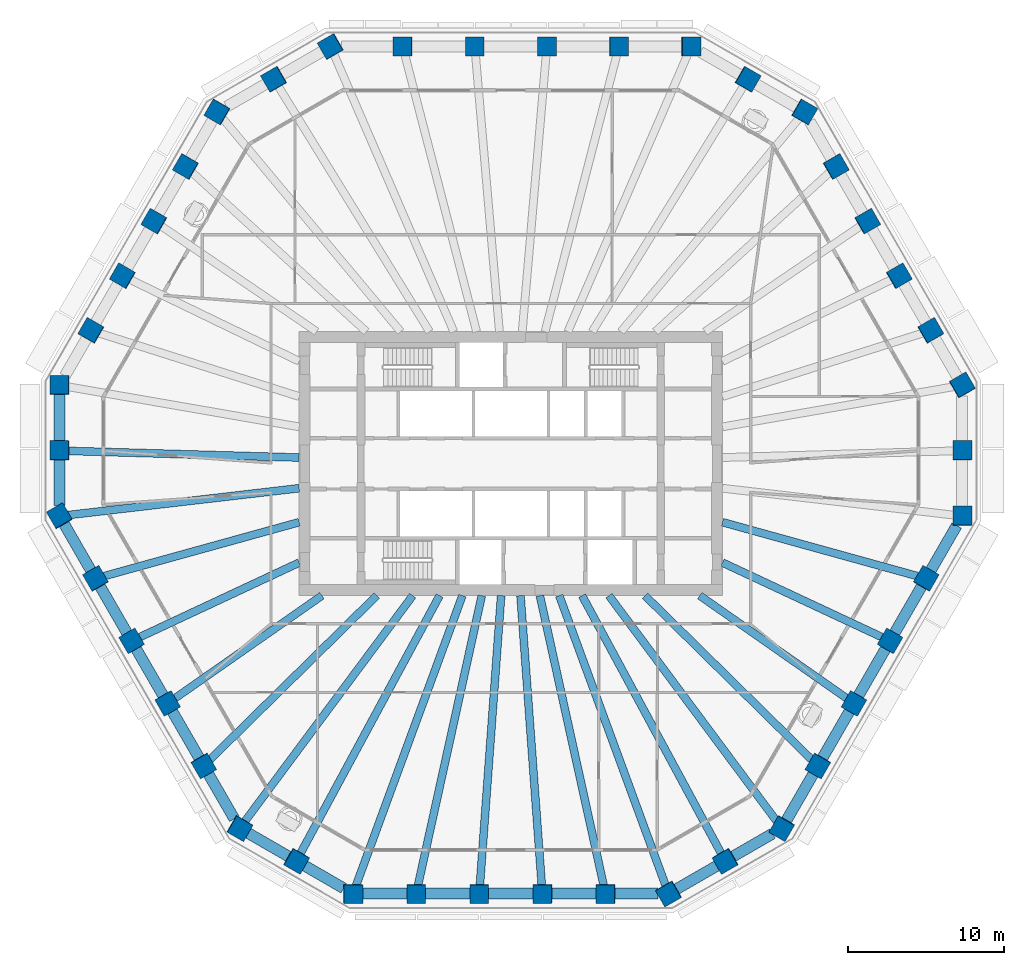
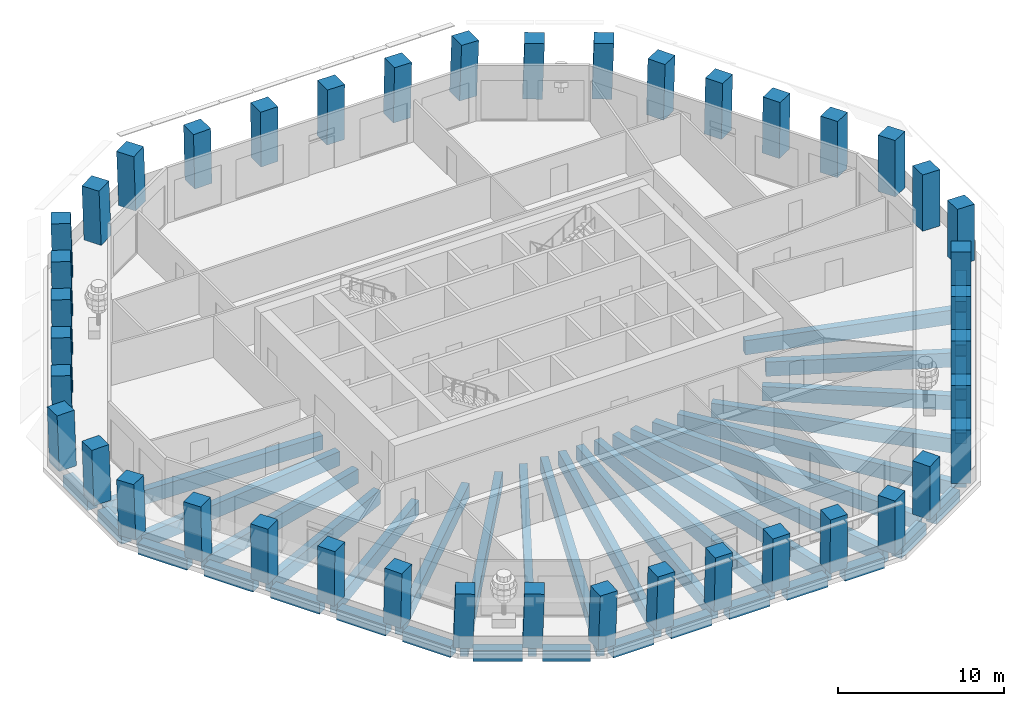
# One storey, part 1 of 12: 42 columns, 41 beams.
"""IFC4 building model written with IfcOpenShell, lengths in metres."""

from ifc_helpers import new_model, si_unit, direction, frame, origin, origin_2d, place, context, subcontext, project, spatial, rectangle, extrude, material, material_profile, profile_set, type_object, element, save


model = new_model("IFC4")

# Units and contexts
model_context = context("Model", 3, precision=1e-05, world=origin(), true_north=direction((0.0, 1.0)))
body_context = subcontext(model_context, "Body", "Model", "MODEL_VIEW")
ifc_project = project(units=[si_unit("LENGTHUNIT", "METRE"), si_unit("AREAUNIT", "SQUARE_METRE"), si_unit("VOLUMEUNIT", "CUBIC_METRE"), si_unit("PLANEANGLEUNIT", "RADIAN"), si_unit("MASSUNIT", "GRAM", prefix="KILO")], contexts=[model_context])

# Site, building, storey
site_placement = place(None, origin())
site = spatial("IfcSite", under=ifc_project, at=site_placement, CompositionType="ELEMENT")
building_placement = place(site_placement, origin())
building = spatial("IfcBuilding", under=site, at=building_placement, Name="Frailejon Research Tower", CompositionType="ELEMENT")
storey_placement = place(building_placement, frame((0.0, 0.0, 171.60009765625)))
storey = spatial("IfcBuildingStorey", under=building, at=storey_placement, Name="L37", CompositionType="ELEMENT", Elevation=171.60009765625)

# Columns
ifc_material_1 = material(Name="Concrete C60/75", Category="concrete")
ifc_material_profile_1 = material_profile(ifc_material_1, rectangle(XDim=1.199951171875, YDim=1.199951171875, at=origin_2d()), Name="Column 1200")
ifc_profile_set_1 = profile_set([ifc_material_profile_1], Name="Concrete C60/75")
column_type = type_object("IfcColumnType", Name="Column 1200", PredefinedType="COLUMN", material=ifc_profile_set_1)
for number, where, z_axis, x_axis, name in (
    (1, (28.891845703125, -3.35791015625, 0.0), (0.018133721723, 0.031387604711, 0.999342777233), (-2.2310109e-05, 0.999507138094, -0.031392362166), "Column C01"),
    (2, (28.891845703125, 0.82958984375, 0.0), (0.018133721723, 0.031387604711, 0.999342777233), (-0.000336417711, 0.999507260604, -0.031386666328), "Column C02"),
    (3, (28.891845703125, 5.01708984375, 0.0), (0.018133687401, 0.03144779011, 0.999340885723), (-0.500657764106, 0.865455017074, -0.018149839156), "Column C03"),
):
    element("IfcColumn", number, at=place(storey_placement, frame(where, z_axis=z_axis, x_axis=x_axis)), inside=storey, type_object=column_type, Name=name, PredefinedType="COLUMN", context=body_context, shape_type="SweptSolid", body=[
        extrude(rectangle(XDim=1.199951171875, YDim=1.199951171875, at=origin_2d()), origin(), (0.0, 0.0, 1.0), 4.052490234375),
    ])
column_1_placement = place(storey_placement, frame((26.87158203125, 8.516357421875, 0.0), z_axis=(0.021750699922, 0.025124769716, 0.999447673968), x_axis=(-0.500502376835, 0.865666925982, -0.010869408614)))
element("IfcColumn", 4, at=column_1_placement, inside=storey, type_object=column_type, Name="Column C04", PredefinedType="COLUMN", context=body_context, shape_type="SweptSolid", body=[
    extrude(rectangle(XDim=1.199951171875, YDim=1.199951171875, at=origin_2d()), origin(), (0.0, 0.0, 1.0), 4.052001953125),
])
for number, where, z_axis, x_axis, name in (
    (5, (24.8515625, 12.015380859375, 0.0), (0.025367110012, 0.018859632859, 0.999500287133), (-0.500321532448, 0.865832038602, -0.003639381657), "Column C05"),
    (6, (22.831298828125, 15.514404296875, 0.0), (0.028982405875, 0.01253293227, 0.999501348553), (-0.498879145932, 0.866664091403, 0.003598670013), "Column C06"),
):
    element("IfcColumn", number, at=place(storey_placement, frame(where, z_axis=z_axis, x_axis=x_axis)), inside=storey, type_object=column_type, Name=name, PredefinedType="COLUMN", context=body_context, shape_type="SweptSolid", body=[
        extrude(rectangle(XDim=1.199951171875, YDim=1.199951171875, at=origin_2d()), origin(), (0.0, 0.0, 1.0), 4.0517578125),
    ])
column_2_placement = place(storey_placement, frame((20.81103515625, 19.013427734375, 0.0), z_axis=(0.032656153574, 0.006266125409, 0.99944700275), x_axis=(-0.499519802521, 0.866234012369, 0.010890486839)))
element("IfcColumn", 7, at=column_2_placement, inside=storey, type_object=column_type, Name="Column C07", PredefinedType="COLUMN", context=body_context, shape_type="SweptSolid", body=[
    extrude(rectangle(XDim=1.199951171875, YDim=1.199951171875, at=origin_2d()), origin(), (0.0, 0.0, 1.0), 4.052001953125),
])
for number, where, z_axis, x_axis, name in (
    (8, (18.791015625, 22.512451171875, 0.0), (0.036267419622, 0.0, 0.999342120734), (-0.865313477853, 0.500246354177, 0.031403346616), "Column C08"),
    (9, (15.164306640625, 24.606201171875, 0.0), (0.036267419622, 0.0, 0.999342120734), (-0.865313477853, 0.500246354177, 0.031403346616), "Column C09"),
    (10, (11.537841796875, 26.699951171875, 0.0), (0.036267419622, 0.0, 0.999342120734), (-0.999342120734, 0.0, 0.036267419622), "Column C10"),
):
    element("IfcColumn", number, at=place(storey_placement, frame(where, z_axis=z_axis, x_axis=x_axis)), inside=storey, type_object=column_type, Name=name, PredefinedType="COLUMN", context=body_context, shape_type="SweptSolid", body=[
        extrude(rectangle(XDim=1.199951171875, YDim=1.199951171875, at=origin_2d()), origin(), (0.0, 0.0, 1.0), 4.052490234375),
    ])
column_3_placement = place(storey_placement, frame((6.922607421875, 26.699951171875, 0.0), z_axis=(0.021817809905, 0.0, 0.999761963255), x_axis=(-0.999761963255, 0.0, 0.021817809905)))
element("IfcColumn", 11, at=column_3_placement, inside=storey, type_object=column_type, Name="Column C11", PredefinedType="COLUMN", context=body_context, shape_type="SweptSolid", body=[
    extrude(rectangle(XDim=1.199951171875, YDim=1.199951171875, at=origin_2d()), origin(), (0.0, 0.0, 1.0), 4.05078125),
])
for number, where, z_axis, x_axis, name in (
    (12, (2.3076171875, 26.699951171875, 0.0), (0.007233955881, 0.0, 0.999973834599), (-0.999973834599, 0.0, 0.007233955881), "Column C12"),
    (13, (-2.3076171875, 26.699951171875, 0.0), (-0.007233955881, 0.0, 0.999973834599), (-0.999973834599, 0.0, -0.007233955881), "Column C13"),
):
    element("IfcColumn", number, at=place(storey_placement, frame(where, z_axis=z_axis, x_axis=x_axis)), inside=storey, type_object=column_type, Name=name, PredefinedType="COLUMN", context=body_context, shape_type="SweptSolid", body=[
        extrude(rectangle(XDim=1.199951171875, YDim=1.199951171875, at=origin_2d()), origin(), (0.0, 0.0, 1.0), 4.0498046875),
    ])
column_4_placement = place(storey_placement, frame((-6.922607421875, 26.699951171875, 0.0), z_axis=(-0.021817809905, 0.0, 0.999761963255), x_axis=(-0.999761963255, 0.0, -0.021817809905)))
element("IfcColumn", 14, at=column_4_placement, inside=storey, type_object=column_type, Name="Column C14", PredefinedType="COLUMN", context=body_context, shape_type="SweptSolid", body=[
    extrude(rectangle(XDim=1.199951171875, YDim=1.199951171875, at=origin_2d()), origin(), (0.0, 0.0, 1.0), 4.05078125),
])
for number, where, z_axis, x_axis, name in (
    (15, (-11.537841796875, 26.699951171875, 0.0), (-0.036267419622, 0.0, 0.999342120734), (-0.865313477853, -0.500246354177, -0.031403346616), "Column C15"),
    (16, (-15.164306640625, 24.606201171875, 0.0), (-0.036267419622, 0.0, 0.999342120734), (-0.865313477853, -0.500246354177, -0.031403346616), "Column C16"),
    (17, (-18.791015625, 22.512451171875, 0.0), (-0.036267419622, 0.0, 0.999342120734), (-0.499424827821, -0.866167613071, -0.018124773713), "Column C17"),
):
    element("IfcColumn", number, at=place(storey_placement, frame(where, z_axis=z_axis, x_axis=x_axis)), inside=storey, type_object=column_type, Name=name, PredefinedType="COLUMN", context=body_context, shape_type="SweptSolid", body=[
        extrude(rectangle(XDim=1.199951171875, YDim=1.199951171875, at=origin_2d()), origin(), (0.0, 0.0, 1.0), 4.052490234375),
    ])
column_5_placement = place(storey_placement, frame((-20.81103515625, 19.013427734375, 0.0), z_axis=(-0.032656153574, 0.006266125409, 0.99944700275), x_axis=(-0.499519802521, -0.866234012369, -0.010890486839)))
element("IfcColumn", 18, at=column_5_placement, inside=storey, type_object=column_type, Name="Column C18", PredefinedType="COLUMN", context=body_context, shape_type="SweptSolid", body=[
    extrude(rectangle(XDim=1.199951171875, YDim=1.199951171875, at=origin_2d()), origin(), (0.0, 0.0, 1.0), 4.052001953125),
])
for number, where, z_axis, x_axis, name in (
    (19, (-22.831298828125, 15.514404296875, 0.0), (-0.028982405875, 0.01253293227, 0.999501348553), (-0.498879145932, -0.866664091403, -0.003598670013), "Column C19"),
    (20, (-24.8515625, 12.015380859375, 0.0), (-0.025367110012, 0.018859632859, 0.999500287133), (-0.500321532448, -0.865832038602, 0.003639381657), "Column C20"),
):
    element("IfcColumn", number, at=place(storey_placement, frame(where, z_axis=z_axis, x_axis=x_axis)), inside=storey, type_object=column_type, Name=name, PredefinedType="COLUMN", context=body_context, shape_type="SweptSolid", body=[
        extrude(rectangle(XDim=1.199951171875, YDim=1.199951171875, at=origin_2d()), origin(), (0.0, 0.0, 1.0), 4.0517578125),
    ])
column_6_placement = place(storey_placement, frame((-26.87158203125, 8.516357421875, 0.0), z_axis=(-0.021750699922, 0.025124769716, 0.999447673968), x_axis=(-0.500502376835, -0.865666925982, 0.010869408614)))
element("IfcColumn", 21, at=column_6_placement, inside=storey, type_object=column_type, Name="Column C21", PredefinedType="COLUMN", context=body_context, shape_type="SweptSolid", body=[
    extrude(rectangle(XDim=1.199951171875, YDim=1.199951171875, at=origin_2d()), origin(), (0.0, 0.0, 1.0), 4.052001953125),
])
for number, where, z_axis, x_axis, name in (
    (22, (-28.891845703125, 5.01708984375, 0.0), (-0.018133687401, 0.03144779011, 0.999340885723), (-0.000852919452, -0.999505356071, 0.031437488975), "Column C22"),
    (23, (-28.891845703125, 0.82958984375, 0.0), (-0.018133721723, 0.031387604711, 0.999342777233), (-0.000336417711, -0.999507260604, 0.031386666328), "Column C23"),
    (24, (-28.891845703125, -3.35791015625, 0.0), (-0.018133721723, 0.031387604711, 0.999342777233), (0.500144780873, -0.865182746395, 0.036249324205), "Column C24"),
):
    element("IfcColumn", number, at=place(storey_placement, frame(where, z_axis=z_axis, x_axis=x_axis)), inside=storey, type_object=column_type, Name=name, PredefinedType="COLUMN", context=body_context, shape_type="SweptSolid", body=[
        extrude(rectangle(XDim=1.199951171875, YDim=1.199951171875, at=origin_2d()), origin(), (0.0, 0.0, 1.0), 4.052490234375),
    ])
column_7_placement = place(storey_placement, frame((-26.584228515625, -7.354736328125, 0.0), z_axis=(-0.010908911174, 0.018864581201, 0.999762533421), x_axis=(0.500186584964, -0.865643404359, 0.021791666111)))
element("IfcColumn", 25, at=column_7_placement, inside=storey, type_object=column_type, Name="Column C25", PredefinedType="COLUMN", context=body_context, shape_type="SweptSolid", body=[
    extrude(rectangle(XDim=1.199951171875, YDim=1.199951171875, at=origin_2d()), origin(), (0.0, 0.0, 1.0), 4.05078125),
])
for number, where, z_axis, x_axis, name in (
    (26, (-24.276611328125, -11.3515625, 0.0), (-0.003616977835, 0.006269428248, 0.999973805527), (0.50188323525, -0.864905098983, 0.007237950591), "Column C26"),
    (27, (-21.968994140625, -15.348388671875, 0.0), (0.003616977835, -0.006269428248, 0.999973805527), (0.499535498869, -0.866263180051, -0.007237973273), "Column C27"),
):
    element("IfcColumn", number, at=place(storey_placement, frame(where, z_axis=z_axis, x_axis=x_axis)), inside=storey, type_object=column_type, Name=name, PredefinedType="COLUMN", context=body_context, shape_type="SweptSolid", body=[
        extrude(rectangle(XDim=1.199951171875, YDim=1.199951171875, at=origin_2d()), origin(), (0.0, 0.0, 1.0), 4.0498046875),
    ])
column_8_placement = place(storey_placement, frame((-19.66162109375, -19.34521484375, 0.0), z_axis=(0.010908911174, -0.018864581201, 0.999762533421), x_axis=(0.500186584964, -0.865643404359, -0.021791666111)))
element("IfcColumn", 28, at=column_8_placement, inside=storey, type_object=column_type, Name="Column C28", PredefinedType="COLUMN", context=body_context, shape_type="SweptSolid", body=[
    extrude(rectangle(XDim=1.199951171875, YDim=1.199951171875, at=origin_2d()), origin(), (0.0, 0.0, 1.0), 4.05078125),
])
for number, where, z_axis, x_axis, name in (
    (29, (-17.35400390625, -23.342041015625, 0.0), (0.018133687401, -0.03144779011, 0.999340885723), (0.865740951417, -0.499504633719, -0.031428107377), "Column C29"),
    (30, (-13.727294921875, -25.435791015625, 0.0), (0.018133721723, -0.031387604711, 0.999342777233), (0.86599921333, -0.499059227482, -0.031388691869), "Column C30"),
    (31, (-10.100830078125, -27.52978515625, 0.0), (0.018133721723, -0.031387604711, 0.999342777233), (0.999835522957, 0.000260871972, -0.018134469382), "Column C31"),
):
    element("IfcColumn", number, at=place(storey_placement, frame(where, z_axis=z_axis, x_axis=x_axis)), inside=storey, type_object=column_type, Name=name, PredefinedType="COLUMN", context=body_context, shape_type="SweptSolid", body=[
        extrude(rectangle(XDim=1.199951171875, YDim=1.199951171875, at=origin_2d()), origin(), (0.0, 0.0, 1.0), 4.052490234375),
    ])
column_9_placement = place(storey_placement, frame((-6.060546875, -27.52978515625, 0.0), z_axis=(0.010905475742, -0.031390899789, 0.999447688481), x_axis=(0.9999402729, 0.001064003934, -0.01087743208)))
element("IfcColumn", 32, at=column_9_placement, inside=storey, type_object=column_type, Name="Column C32", PredefinedType="COLUMN", context=body_context, shape_type="SweptSolid", body=[
    extrude(rectangle(XDim=1.199951171875, YDim=1.199951171875, at=origin_2d()), origin(), (0.0, 0.0, 1.0), 4.052001953125),
])
for number, where, z_axis, x_axis, name in (
    (33, (-2.020263671875, -27.52978515625, 0.0), (0.003615266194, -0.031392561451, 0.999500593765), (0.999993283301, -0.000488876341, -0.003632403037), "Column C33"),
    (34, (2.020263671875, -27.52978515625, 0.0), (-0.003615266194, -0.031392561451, 0.999500593765), (0.999993283301, 0.000488876341, 0.003632403037), "Column C34"),
):
    element("IfcColumn", number, at=place(storey_placement, frame(where, z_axis=z_axis, x_axis=x_axis)), inside=storey, type_object=column_type, Name=name, PredefinedType="COLUMN", context=body_context, shape_type="SweptSolid", body=[
        extrude(rectangle(XDim=1.199951171875, YDim=1.199951171875, at=origin_2d()), origin(), (0.0, 0.0, 1.0), 4.0517578125),
    ])
column_10_placement = place(storey_placement, frame((6.060546875, -27.52978515625, 0.0), z_axis=(-0.010905475742, -0.031390899789, 0.999447688481), x_axis=(0.9999402729, -0.001064003934, 0.01087743208)))
element("IfcColumn", 35, at=column_10_placement, inside=storey, type_object=column_type, Name="Column C35", PredefinedType="COLUMN", context=body_context, shape_type="SweptSolid", body=[
    extrude(rectangle(XDim=1.199951171875, YDim=1.199951171875, at=origin_2d()), origin(), (0.0, 0.0, 1.0), 4.052001953125),
])
for number, where, z_axis, x_axis, name in (
    (36, (10.100830078125, -27.52978515625, 0.0), (-0.018133721723, -0.031387604711, 0.999342777233), (0.865728713969, 0.4995277051, 0.031398497544), "Column C36"),
    (37, (13.727294921875, -25.435791015625, 0.0), (-0.018133721723, -0.031387604711, 0.999342777233), (0.86599921333, 0.499059227482, 0.031388691869), "Column C37"),
    (38, (17.35400390625, -23.342041015625, 0.0), (-0.018133687401, -0.03144779011, 0.999340885723), (0.499425388708, 0.865596029959, 0.036301432942), "Column C38"),
):
    element("IfcColumn", number, at=place(storey_placement, frame(where, z_axis=z_axis, x_axis=x_axis)), inside=storey, type_object=column_type, Name=name, PredefinedType="COLUMN", context=body_context, shape_type="SweptSolid", body=[
        extrude(rectangle(XDim=1.199951171875, YDim=1.199951171875, at=origin_2d()), origin(), (0.0, 0.0, 1.0), 4.052490234375),
    ])
column_11_placement = place(storey_placement, frame((19.66162109375, -19.34521484375, 0.0), z_axis=(-0.010908911174, -0.018864581201, 0.999762533421), x_axis=(0.500186584964, 0.865643404359, 0.021791666111)))
element("IfcColumn", 39, at=column_11_placement, inside=storey, type_object=column_type, Name="Column C39", PredefinedType="COLUMN", context=body_context, shape_type="SweptSolid", body=[
    extrude(rectangle(XDim=1.199951171875, YDim=1.199951171875, at=origin_2d()), origin(), (0.0, 0.0, 1.0), 4.05078125),
])
for number, where, z_axis, x_axis, name in (
    (40, (21.968994140625, -15.348388671875, 0.0), (-0.003616977835, -0.006269428248, 0.999973805527), (0.499535498869, 0.866263180051, 0.007237973273), "Column C40"),
    (41, (24.276611328125, -11.3515625, 0.0), (0.003616977835, 0.006269428248, 0.999973805527), (0.50188323525, 0.864905098983, -0.007237950591), "Column C41"),
):
    element("IfcColumn", number, at=place(storey_placement, frame(where, z_axis=z_axis, x_axis=x_axis)), inside=storey, type_object=column_type, Name=name, PredefinedType="COLUMN", context=body_context, shape_type="SweptSolid", body=[
        extrude(rectangle(XDim=1.199951171875, YDim=1.199951171875, at=origin_2d()), origin(), (0.0, 0.0, 1.0), 4.0498046875),
    ])
column_12_placement = place(storey_placement, frame((26.584228515625, -7.354736328125, 0.0), z_axis=(0.010908911174, 0.018864581201, 0.999762533421), x_axis=(0.500186584964, 0.865643404359, -0.021791666111)))
element("IfcColumn", 42, at=column_12_placement, inside=storey, type_object=column_type, Name="Column C42", PredefinedType="COLUMN", context=body_context, shape_type="SweptSolid", body=[
    extrude(rectangle(XDim=1.199951171875, YDim=1.199951171875, at=origin_2d()), origin(), (0.0, 0.0, 1.0), 4.05078125),
])

# Beams
ifc_material_2 = material(Name="Concrete C60/75", Category="concrete")
ifc_material_profile_2 = material_profile(ifc_material_2, rectangle(XDim=0.5, YDim=1.050048828125, at=origin_2d()), Name="Girder 500x1050")
ifc_profile_set_2 = profile_set([ifc_material_profile_2], Name="Concrete C60/75")
beam_type_1 = type_object("IfcBeamType", Name="Girder 500x1050", PredefinedType="BEAM", material=ifc_profile_set_2)
beam_1_placement = place(storey_placement, frame((-28.441650390625, 0.81689453125, -0.8251953125), z_axis=(0.999587744108, -0.028711353657, 0.0), x_axis=(0.028711353657, 0.999587744108, 0.0)))
element("IfcBeam", 43, at=beam_1_placement, inside=storey, type_object=beam_type_1, Name="Girder 500x1050", PredefinedType="BEAM", context=body_context, shape_type="SweptSolid", body=[
    extrude(rectangle(XDim=0.5, YDim=1.050048828125, at=origin_2d()), origin(), (0.0, 0.0, 1.0), 14.897705078125),
])
beam_2_placement = place(storey_placement, frame((-28.3916015625, -3.2998046875, -0.8251953125), z_axis=(0.993312480069, 0.115456991729, 0.0), x_axis=(-0.115456991729, 0.993312480069, 0.0)))
element("IfcBeam", 44, at=beam_2_placement, inside=storey, type_object=beam_type_1, Name="Girder 500x1050", PredefinedType="BEAM", context=body_context, shape_type="SweptSolid", body=[
    extrude(rectangle(XDim=0.5, YDim=1.050048828125, at=origin_2d()), origin(), (0.0, 0.0, 1.0), 14.94140625),
])
beam_3_placement = place(storey_placement, frame((-26.13134765625, -7.2294921875, -0.8251953125), z_axis=(0.963795782297, 0.266641500945, 0.0), x_axis=(-0.266641500945, 0.963795782297, 0.0)))
element("IfcBeam", 45, at=beam_3_placement, inside=storey, type_object=beam_type_1, Name="Girder 500x1050", PredefinedType="BEAM", context=body_context, shape_type="SweptSolid", body=[
    extrude(rectangle(XDim=0.5, YDim=1.050048828125, at=origin_2d()), origin(), (0.0, 0.0, 1.0), 13.053955078125),
])
beam_4_placement = place(storey_placement, frame((-23.866943359375, -11.159912109375, -0.8251953125), z_axis=(0.905865796407, 0.423564822547, 0.0), x_axis=(-0.423564822547, 0.905865796407, 0.0)))
element("IfcBeam", 46, at=beam_4_placement, inside=storey, type_object=beam_type_1, Name="Girder 500x1050", PredefinedType="BEAM", context=body_context, shape_type="SweptSolid", body=[
    extrude(rectangle(XDim=0.5, YDim=1.050048828125, at=origin_2d()), origin(), (0.0, 0.0, 1.0), 11.388916015625),
])
beam_5_placement = place(storey_placement, frame((-21.598388671875, -15.08935546875, -0.8251953125), z_axis=(0.819757918929, 0.57271018356, 0.0), x_axis=(-0.57271018356, 0.819757918929, 0.0)))
element("IfcBeam", 47, at=beam_5_placement, inside=storey, type_object=beam_type_1, Name="Girder 500x1050", PredefinedType="BEAM", context=body_context, shape_type="SweptSolid", body=[
    extrude(rectangle(XDim=0.5, YDim=1.050048828125, at=origin_2d()), origin(), (0.0, 0.0, 1.0), 11.593017578125),
])
beam_6_placement = place(storey_placement, frame((-19.32666015625, -19.015869140625, -0.8251953125), z_axis=(0.712812326568, 0.701354822535, 0.0), x_axis=(-0.701354822535, 0.712812326568, 0.0)))
element("IfcBeam", 48, at=beam_6_placement, inside=storey, type_object=beam_type_1, Name="Girder 500x1050", PredefinedType="BEAM", context=body_context, shape_type="SweptSolid", body=[
    extrude(rectangle(XDim=0.5, YDim=1.050048828125, at=origin_2d()), origin(), (0.0, 0.0, 1.0), 15.06494140625),
])
beam_7_placement = place(storey_placement, frame((-17.0830078125, -22.977783203125, -0.8251953125), z_axis=(0.596632843278, 0.802514330291, 0.0), x_axis=(-0.802514330291, 0.596632843278, 0.0)))
element("IfcBeam", 49, at=beam_7_placement, inside=storey, type_object=beam_type_1, Name="Girder 500x1050", PredefinedType="BEAM", context=body_context, shape_type="SweptSolid", body=[
    extrude(rectangle(XDim=0.5, YDim=1.050048828125, at=origin_2d()), origin(), (0.0, 0.0, 1.0), 18.102783203125),
])
beam_8_placement = place(storey_placement, frame((-13.513671875, -25.039794921875, -0.8251953125), z_axis=(0.474937536244, 0.880019509253, 0.0), x_axis=(-0.880019509253, 0.474937536244, 0.0)))
element("IfcBeam", 50, at=beam_8_placement, inside=storey, type_object=beam_type_1, Name="Girder 500x1050", PredefinedType="BEAM", context=body_context, shape_type="SweptSolid", body=[
    extrude(rectangle(XDim=0.5, YDim=1.050048828125, at=origin_2d()), origin(), (0.0, 0.0, 1.0), 18.8515625),
])
beam_9_placement = place(storey_placement, frame((-9.932373046875, -27.070556640625, -0.8251953125), z_axis=(0.344453561725, 0.938803357373, 0.0), x_axis=(-0.938803357373, 0.344453561725, 0.0)))
element("IfcBeam", 51, at=beam_9_placement, inside=storey, type_object=beam_type_1, Name="Girder 500x1050", PredefinedType="BEAM", context=body_context, shape_type="SweptSolid", body=[
    extrude(rectangle(XDim=0.5, YDim=1.050048828125, at=origin_2d()), origin(), (0.0, 0.0, 1.0), 19.83447265625),
])
beam_10_placement = place(storey_placement, frame((-5.960693359375, -27.076171875, -0.8251953125), z_axis=(0.215002682326, 0.976613458126, 0.0), x_axis=(-0.976613458126, 0.215002682326, 0.0)))
element("IfcBeam", 52, at=beam_10_placement, inside=storey, type_object=beam_type_1, Name="Girder 500x1050", PredefinedType="BEAM", context=body_context, shape_type="SweptSolid", body=[
    extrude(rectangle(XDim=0.5, YDim=1.050048828125, at=origin_2d()), origin(), (0.0, 0.0, 1.0), 19.072265625),
])
for number, where, z_axis, x_axis, name in (
    (53, (-1.987060546875, -27.079345703125, -0.8251953125), (0.073178886777, 0.997318830931, 0.0), (-0.997318830931, 0.073178886777, 0.0), "Girder 500x1050"),
    (54, (1.987060546875, -27.079345703125, -0.8251953125), (-0.073178886777, 0.997318830931, 0.0), (-0.997318830931, -0.073178886777, 0.0), "Girder 500x1050"),
):
    element("IfcBeam", number, at=place(storey_placement, frame(where, z_axis=z_axis, x_axis=x_axis)), inside=storey, type_object=beam_type_1, Name=name, PredefinedType="BEAM", context=body_context, shape_type="SweptSolid", body=[
        extrude(rectangle(XDim=0.5, YDim=1.050048828125, at=origin_2d()), origin(), (0.0, 0.0, 1.0), 18.679443359375),
    ])
beam_11_placement = place(storey_placement, frame((5.960693359375, -27.076171875, -0.8251953125), z_axis=(-0.215002682326, 0.976613458126, 0.0), x_axis=(-0.976613458126, -0.215002682326, 0.0)))
element("IfcBeam", 55, at=beam_11_placement, inside=storey, type_object=beam_type_1, Name="Girder 500x1050", PredefinedType="BEAM", context=body_context, shape_type="SweptSolid", body=[
    extrude(rectangle(XDim=0.5, YDim=1.050048828125, at=origin_2d()), origin(), (0.0, 0.0, 1.0), 19.072265625),
])
beam_12_placement = place(storey_placement, frame((9.94287109375, -27.098876953125, -0.8251953125), z_axis=(-0.344458314628, 0.938801613486, 0.0), x_axis=(-0.938801613486, -0.344458314628, 0.0)))
element("IfcBeam", 56, at=beam_12_placement, inside=storey, type_object=beam_type_1, Name="Girder 500x1050", PredefinedType="BEAM", context=body_context, shape_type="SweptSolid", body=[
    extrude(rectangle(XDim=0.5, YDim=1.050048828125, at=origin_2d()), origin(), (0.0, 0.0, 1.0), 19.864501953125),
])
beam_13_placement = place(storey_placement, frame((13.513671875, -25.039794921875, -0.8251953125), z_axis=(-0.474937536244, 0.880019509253, 0.0), x_axis=(-0.880019509253, -0.474937536244, 0.0)))
element("IfcBeam", 57, at=beam_13_placement, inside=storey, type_object=beam_type_1, Name="Girder 500x1050", PredefinedType="BEAM", context=body_context, shape_type="SweptSolid", body=[
    extrude(rectangle(XDim=0.5, YDim=1.050048828125, at=origin_2d()), origin(), (0.0, 0.0, 1.0), 18.8515625),
])
beam_14_placement = place(storey_placement, frame((17.053466796875, -22.93798828125, -0.8251953125), z_axis=(-0.596634437741, 0.802513144878, 0.0), x_axis=(-0.802513144878, -0.596634437741, 0.0)))
element("IfcBeam", 58, at=beam_14_placement, inside=storey, type_object=beam_type_1, Name="Girder 500x1050", PredefinedType="BEAM", context=body_context, shape_type="SweptSolid", body=[
    extrude(rectangle(XDim=0.5, YDim=1.050048828125, at=origin_2d()), origin(), (0.0, 0.0, 1.0), 18.05322265625),
])
beam_15_placement = place(storey_placement, frame((19.32666015625, -19.015869140625, -0.8251953125), z_axis=(-0.712812326568, 0.701354822535, 0.0), x_axis=(-0.701354822535, -0.712812326568, 0.0)))
element("IfcBeam", 59, at=beam_15_placement, inside=storey, type_object=beam_type_1, Name="Girder 500x1050", PredefinedType="BEAM", context=body_context, shape_type="SweptSolid", body=[
    extrude(rectangle(XDim=0.5, YDim=1.050048828125, at=origin_2d()), origin(), (0.0, 0.0, 1.0), 15.06494140625),
])
beam_16_placement = place(storey_placement, frame((21.598388671875, -15.08935546875, -0.8251953125), z_axis=(-0.819757918929, 0.57271018356, 0.0), x_axis=(-0.57271018356, -0.819757918929, 0.0)))
element("IfcBeam", 60, at=beam_16_placement, inside=storey, type_object=beam_type_1, Name="Girder 500x1050", PredefinedType="BEAM", context=body_context, shape_type="SweptSolid", body=[
    extrude(rectangle(XDim=0.5, YDim=1.050048828125, at=origin_2d()), origin(), (0.0, 0.0, 1.0), 11.593017578125),
])
beam_17_placement = place(storey_placement, frame((23.866943359375, -11.159912109375, -0.8251953125), z_axis=(-0.905865796407, 0.423564822547, 0.0), x_axis=(-0.423564822547, -0.905865796407, 0.0)))
element("IfcBeam", 61, at=beam_17_placement, inside=storey, type_object=beam_type_1, Name="Girder 500x1050", PredefinedType="BEAM", context=body_context, shape_type="SweptSolid", body=[
    extrude(rectangle(XDim=0.5, YDim=1.050048828125, at=origin_2d()), origin(), (0.0, 0.0, 1.0), 11.388916015625),
])
beam_18_placement = place(storey_placement, frame((26.13134765625, -7.2294921875, -0.8251953125), z_axis=(-0.963795782297, 0.266641500945, 0.0), x_axis=(-0.266641500945, -0.963795782297, 0.0)))
element("IfcBeam", 62, at=beam_18_placement, inside=storey, type_object=beam_type_1, Name="Girder 500x1050", PredefinedType="BEAM", context=body_context, shape_type="SweptSolid", body=[
    extrude(rectangle(XDim=0.5, YDim=1.050048828125, at=origin_2d()), origin(), (0.0, 0.0, 1.0), 13.053955078125),
])
ifc_material_3 = material(Name="Concrete C60/75", Category="concrete")
ifc_material_profile_3 = material_profile(ifc_material_3, rectangle(XDim=0.699951171875, YDim=0.800048828125, at=origin_2d()), Name="Spandrel 700x800")
ifc_profile_set_3 = profile_set([ifc_material_profile_3], Name="Concrete C60/75")
beam_type_2 = type_object("IfcBeamType", Name="Spandrel 700x800", PredefinedType="BEAM", material=ifc_profile_set_3)
beam_19_placement = place(storey_placement, frame((-28.891845703125, 4.417236328125, -0.75), z_axis=(0.0, -1.0, 0.0), x_axis=(1.0, 0.0, 0.0)))
element("IfcBeam", 63, at=beam_19_placement, inside=storey, type_object=beam_type_2, Name="Spandrel 700x800", PredefinedType="BEAM", context=body_context, shape_type="SweptSolid", body=[
    extrude(rectangle(XDim=0.699951171875, YDim=0.800048828125, at=origin_2d()), origin(), (0.0, 0.0, 1.0), 2.987548828125),
])
beam_20_placement = place(storey_placement, frame((-28.891845703125, 0.229736328125, -0.75), z_axis=(0.0, -1.0, 0.0), x_axis=(1.0, 0.0, 0.0)))
element("IfcBeam", 64, at=beam_20_placement, inside=storey, type_object=beam_type_2, Name="Spandrel 700x800", PredefinedType="BEAM", context=body_context, shape_type="SweptSolid", body=[
    extrude(rectangle(XDim=0.699951171875, YDim=0.800048828125, at=origin_2d()), origin(), (0.0, 0.0, 1.0), 2.894775390625),
])
for number, where, z_axis, x_axis, name in (
    (65, (-28.591796875, -3.87744140625, -0.75), (0.499967911108, -0.866043929522, 0.0), (0.866043929522, 0.499967911108, 0.0), "Spandrel 700x800"),
    (66, (-26.2841796875, -7.874267578125, -0.75), (0.499967911108, -0.866043929522, 0.0), (0.866043929522, 0.499967911108, 0.0), "Spandrel 700x800"),
    (67, (-23.976806640625, -11.87109375, -0.75), (0.500021524473, -0.866012976267, 0.0), (0.866012976267, 0.500021524473, 0.0), "Spandrel 700x800"),
    (68, (-21.669189453125, -15.867919921875, -0.75), (0.500021524473, -0.866012976267, 0.0), (0.866012976267, 0.500021524473, 0.0), "Spandrel 700x800"),
):
    element("IfcBeam", number, at=place(storey_placement, frame(where, z_axis=z_axis, x_axis=x_axis)), inside=storey, type_object=beam_type_2, Name=name, PredefinedType="BEAM", context=body_context, shape_type="SweptSolid", body=[
        extrude(rectangle(XDim=0.699951171875, YDim=0.800048828125, at=origin_2d()), origin(), (0.0, 0.0, 1.0), 3.415283203125),
    ])
beam_21_placement = place(storey_placement, frame((-19.361572265625, -19.864990234375, -0.75), z_axis=(0.500051092388, -0.865995903571, 0.0), x_axis=(0.865995903571, 0.500051092388, 0.0)))
element("IfcBeam", 69, at=beam_21_placement, inside=storey, type_object=beam_type_2, Name="Spandrel 700x800", PredefinedType="BEAM", context=body_context, shape_type="SweptSolid", body=[
    extrude(rectangle(XDim=0.699951171875, YDim=0.800048828125, at=origin_2d()), origin(), (0.0, 0.0, 1.0), 3.322509765625),
])
beam_22_placement = place(storey_placement, frame((-16.834228515625, -23.64208984375, -0.75), z_axis=(0.865996414055, -0.500050208323, 0.0), x_axis=(0.500050208323, 0.865996414055, 0.0)))
element("IfcBeam", 70, at=beam_22_placement, inside=storey, type_object=beam_type_2, Name="Spandrel 700x800", PredefinedType="BEAM", context=body_context, shape_type="SweptSolid", body=[
    extrude(rectangle(XDim=0.699951171875, YDim=0.800048828125, at=origin_2d()), origin(), (0.0, 0.0, 1.0), 2.987548828125),
])
beam_23_placement = place(storey_placement, frame((-13.207763671875, -25.73583984375, -0.75), z_axis=(0.865997375625, -0.500048543054, 0.0), x_axis=(0.500048543054, 0.865997375625, 0.0)))
element("IfcBeam", 71, at=beam_23_placement, inside=storey, type_object=beam_type_2, Name="Spandrel 700x800", PredefinedType="BEAM", context=body_context, shape_type="SweptSolid", body=[
    extrude(rectangle(XDim=0.699951171875, YDim=0.800048828125, at=origin_2d()), origin(), (0.0, 0.0, 1.0), 2.894775390625),
])
beam_24_placement = place(storey_placement, frame((-9.5009765625, -27.52978515625, -0.75), z_axis=(1.0, 0.0, 0.0), x_axis=(0.0, 1.0, 0.0)))
element("IfcBeam", 72, at=beam_24_placement, inside=storey, type_object=beam_type_2, Name="Spandrel 700x800", PredefinedType="BEAM", context=body_context, shape_type="SweptSolid", body=[
    extrude(rectangle(XDim=0.699951171875, YDim=0.800048828125, at=origin_2d()), origin(), (0.0, 0.0, 1.0), 2.840576171875),
])
for number, where, z_axis, x_axis, name in (
    (73, (-5.46044921875, -27.52978515625, -0.75), (1.0, 0.0, 0.0), (0.0, 1.0, 0.0), "Spandrel 700x800"),
    (74, (-1.420166015625, -27.52978515625, -0.75), (1.0, 0.0, 0.0), (0.0, 1.0, 0.0), "Spandrel 700x800"),
    (75, (2.6201171875, -27.52978515625, -0.75), (1.0, 0.0, 0.0), (0.0, 1.0, 0.0), "Spandrel 700x800"),
):
    element("IfcBeam", number, at=place(storey_placement, frame(where, z_axis=z_axis, x_axis=x_axis)), inside=storey, type_object=beam_type_2, Name=name, PredefinedType="BEAM", context=body_context, shape_type="SweptSolid", body=[
        extrude(rectangle(XDim=0.699951171875, YDim=0.800048828125, at=origin_2d()), origin(), (0.0, 0.0, 1.0), 2.84033203125),
    ])
beam_25_placement = place(storey_placement, frame((6.660400390625, -27.52978515625, -0.75), z_axis=(1.0, 0.0, 0.0), x_axis=(0.0, 1.0, 0.0)))
element("IfcBeam", 76, at=beam_25_placement, inside=storey, type_object=beam_type_2, Name="Spandrel 700x800", PredefinedType="BEAM", context=body_context, shape_type="SweptSolid", body=[
    extrude(rectangle(XDim=0.699951171875, YDim=0.800048828125, at=origin_2d()), origin(), (0.0, 0.0, 1.0), 2.747802734375),
])
beam_26_placement = place(storey_placement, frame((10.62060546875, -27.229736328125, -0.75), z_axis=(0.865996414055, 0.500050208323, 0.0), x_axis=(-0.500050208323, 0.865996414055, 0.0)))
element("IfcBeam", 77, at=beam_26_placement, inside=storey, type_object=beam_type_2, Name="Spandrel 700x800", PredefinedType="BEAM", context=body_context, shape_type="SweptSolid", body=[
    extrude(rectangle(XDim=0.699951171875, YDim=0.800048828125, at=origin_2d()), origin(), (0.0, 0.0, 1.0), 2.987548828125),
])
beam_27_placement = place(storey_placement, frame((14.2470703125, -25.135986328125, -0.75), z_axis=(0.865997375625, 0.500048543054, 0.0), x_axis=(-0.500048543054, 0.865997375625, 0.0)))
element("IfcBeam", 78, at=beam_27_placement, inside=storey, type_object=beam_type_2, Name="Spandrel 700x800", PredefinedType="BEAM", context=body_context, shape_type="SweptSolid", body=[
    extrude(rectangle(XDim=0.699951171875, YDim=0.800048828125, at=origin_2d()), origin(), (0.0, 0.0, 1.0), 2.894775390625),
])
for number, where, z_axis, x_axis, name in (
    (79, (17.65380859375, -22.822509765625, -0.75), (0.500052479878, 0.865995102393, 0.0), (-0.865995102393, 0.500052479878, 0.0), "Spandrel 700x800"),
    (80, (19.96142578125, -18.82568359375, -0.75), (0.500021524473, 0.866012976267, 0.0), (-0.866012976267, 0.500021524473, 0.0), "Spandrel 700x800"),
    (81, (22.26904296875, -14.828857421875, -0.75), (0.500021524473, 0.866012976267, 0.0), (-0.866012976267, 0.500021524473, 0.0), "Spandrel 700x800"),
    (82, (24.57666015625, -10.83203125, -0.75), (0.499967911108, 0.866043929522, 0.0), (-0.866043929522, 0.499967911108, 0.0), "Spandrel 700x800"),
):
    element("IfcBeam", number, at=place(storey_placement, frame(where, z_axis=z_axis, x_axis=x_axis)), inside=storey, type_object=beam_type_2, Name=name, PredefinedType="BEAM", context=body_context, shape_type="SweptSolid", body=[
        extrude(rectangle(XDim=0.699951171875, YDim=0.800048828125, at=origin_2d()), origin(), (0.0, 0.0, 1.0), 3.415283203125),
    ])
beam_28_placement = place(storey_placement, frame((26.88427734375, -6.835205078125, -0.75), z_axis=(0.499995980935, 0.86602772418, 0.0), x_axis=(-0.86602772418, 0.499995980935, 0.0)))
element("IfcBeam", 83, at=beam_28_placement, inside=storey, type_object=beam_type_2, Name="Spandrel 700x800", PredefinedType="BEAM", context=body_context, shape_type="SweptSolid", body=[
    extrude(rectangle(XDim=0.699951171875, YDim=0.800048828125, at=origin_2d()), origin(), (0.0, 0.0, 1.0), 3.322265625),
])

save(model, "model.ifc")
